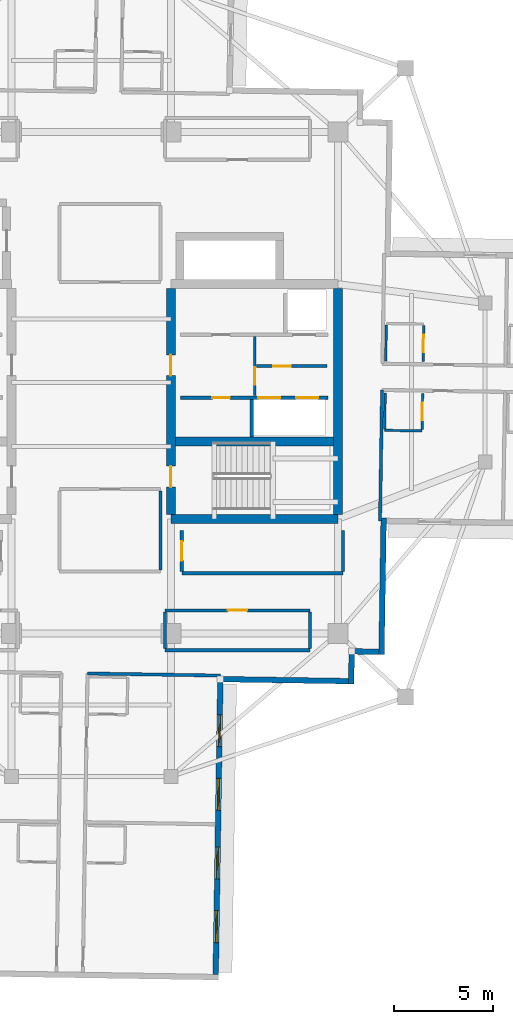
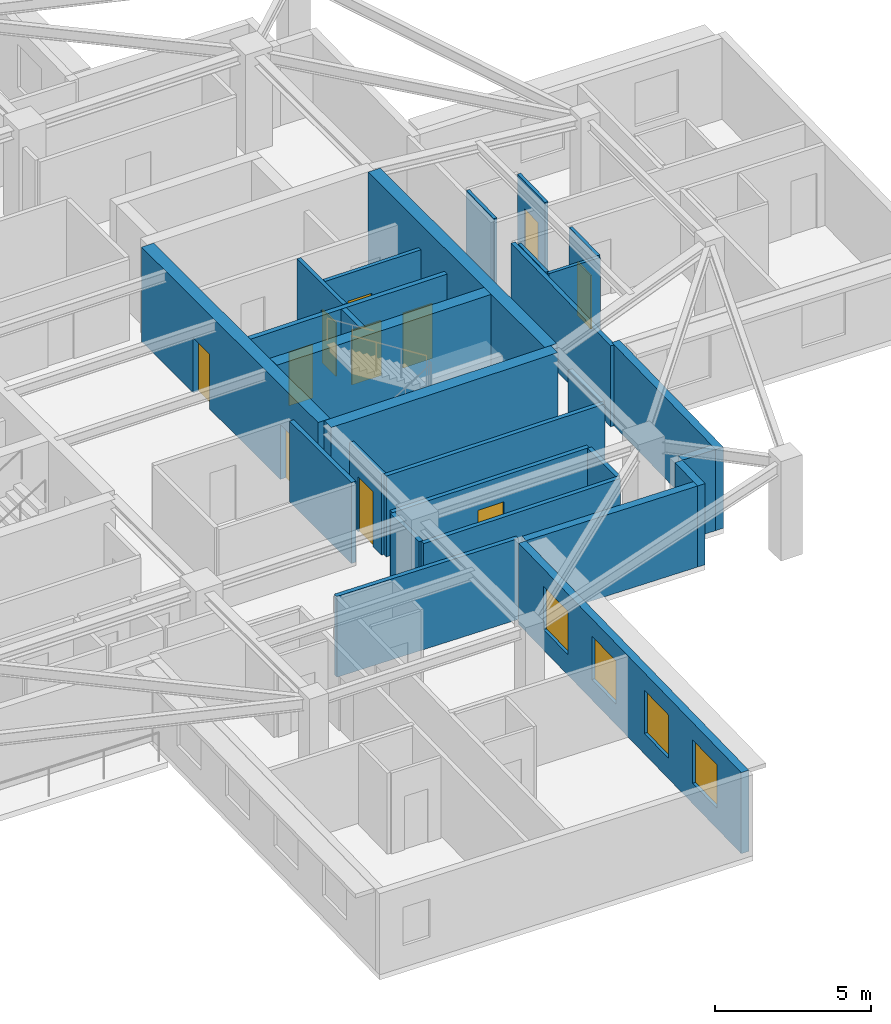
# One storey, part 5 of 12: 28 walls, 11 doors, 4 windows, 15 openings.
"""IFC4 building model written with IfcOpenShell, lengths in metres."""

from ifc_helpers import new_model, si_unit, direction, frame, frame_2d, origin, place, context, subcontext, project, spatial, rectangle, extrude, material, layer, layer_set, type_object, element, fill, save


model = new_model("IFC4")

# Units and contexts
model_context = context("Model", 3, precision=1e-05, world=origin(), true_north=direction((0.0, 1.0)))
body_context = subcontext(model_context, "Body", "Model", "MODEL_VIEW")
ifc_project = project(units=[si_unit("LENGTHUNIT", "METRE"), si_unit("AREAUNIT", "SQUARE_METRE"), si_unit("VOLUMEUNIT", "CUBIC_METRE"), si_unit("PLANEANGLEUNIT", "RADIAN"), si_unit("MASSUNIT", "GRAM", prefix="KILO")], contexts=[model_context])

# Site, building, storey
site_placement = place(None, origin())
site = spatial("IfcSite", under=ifc_project, at=site_placement, CompositionType="ELEMENT")
building_placement = place(site_placement, origin())
building = spatial("IfcBuilding", under=site, at=building_placement, Name="Qingluan Cross Belvedere", CompositionType="ELEMENT")
storey_placement = place(building_placement, frame((0.0, 0.0, 261.60009765625)))
storey = spatial("IfcBuildingStorey", under=building, at=storey_placement, Name="L65", CompositionType="ELEMENT", Elevation=261.60009765625)

# Wall
ifc_material_1 = material(Name="Concrete C50", Category="concrete")
ifc_layer_1 = layer(ifc_material_1, 0.449951171875, Name="CoreShearWall_450")
ifc_layer_set_1 = layer_set([ifc_layer_1], Name="Concrete C50")
wall_type_1 = type_object("IfcWallType", Name="CoreShearWall_450", PredefinedType="SHEAR", material=ifc_layer_set_1)
wall_1_placement = place(storey_placement, frame((4.0, -6.85009765625, 0.0), z_axis=(0.0, 0.0, 1.0), x_axis=(1.0, 0.0, 0.0)))
element("IfcWall", 1, at=wall_1_placement, inside=storey, type_object=wall_type_1, Name="Split core E shear wall L65-S", PredefinedType="SHEAR", context=body_context, shape_type="SweptSolid", body=[
    extrude(rectangle(XDim=8.39990234375, YDim=0.449951171875, at=frame_2d((4.199951171875, 0.0))), origin(), (0.0, 0.0, 1.0), 3.699951171875),
])

# Wall, openings, doors
wall_2_placement = place(storey_placement, frame((4.0, -6.6201171875, 0.0), z_axis=(0.0, 0.0, 1.0), x_axis=(0.0, 1.0, 0.0)))
wall_2 = element("IfcWall", 2, at=wall_2_placement, inside=storey, type_object=wall_type_1, Name="Split core E shear wall L65-W", PredefinedType="SHEAR", context=body_context, shape_type="SweptSolid", body=[
    extrude(rectangle(XDim=11.340087890625, YDim=0.449951171875, at=frame_2d((5.669921875, 0.0))), origin(), (0.0, 0.0, 1.0), 3.699951171875),
])
opening_1_placement = place(wall_2_placement, frame((1.3701171875, 0.0, 0.0)))
opening_1 = element("IfcOpeningElement", 3, at=opening_1_placement, cuts=wall_2, Name="Opening FD-B11", PredefinedType="OPENING", context=body_context, shape_type="SweptSolid", body=[
    extrude(rectangle(XDim=1.050048828125, YDim=2.14990234375, at=frame_2d((0.52490234375, 1.074951171875))), frame((0.0, 0.23486328125, 0.0), z_axis=(0.0, -1.0, 0.0), x_axis=(1.0, 0.0, 0.0)), (0.0, 0.0, 1.0), 0.469970703125),
])
opening_2_placement = place(wall_2_placement, frame((6.969970703125, 0.0, 0.0)))
opening_2 = element("IfcOpeningElement", 4, at=opening_2_placement, cuts=wall_2, Name="Opening FD-B11", PredefinedType="OPENING", context=body_context, shape_type="SweptSolid", body=[
    extrude(rectangle(XDim=1.050048828125, YDim=2.14990234375, at=frame_2d((0.52490234375, 1.074951171875))), frame((0.0, 0.23486328125, 0.0), z_axis=(0.0, -1.0, 0.0), x_axis=(1.0, 0.0, 0.0)), (0.0, 0.0, 1.0), 0.469970703125),
])
ifc_material_2 = material(Name="Steel Class B smoke-seal fire door", Category="steel")
door_type_1 = type_object("IfcDoorType", Name="StairLobbyFireDoor_FDB", OperationType="NOTDEFINED", PredefinedType="DOOR", material=ifc_material_2)
door_1_placement = place(opening_1_placement, origin())
door_1 = element("IfcDoor", 5, at=door_1_placement, inside=storey, type_object=door_type_1, Name="Smoke-proof stair ST2 fire door L65", OperationType="SINGLE_SWING_RIGHT", OverallHeight=2.14990234375, OverallWidth=1.050048828125, PredefinedType="DOOR", context=body_context, shape_type="SweptSolid", body=[
    extrude(rectangle(XDim=1.050048828125, YDim=2.14990234375, at=frame_2d((0.52490234375, 1.074951171875))), frame((0.0, 0.02490234375, 0.0), z_axis=(0.0, -1.0, 0.0), x_axis=(1.0, 0.0, 0.0)), (0.0, 0.0, 1.0), 0.050048828125),
])
fill(opening_1, door_1)
door_2_placement = place(opening_2_placement, origin())
door_2 = element("IfcDoor", 6, at=door_2_placement, inside=storey, type_object=door_type_1, Name="Firefighting lobby East fire door L65", OperationType="SINGLE_SWING_RIGHT", OverallHeight=2.14990234375, OverallWidth=1.050048828125, PredefinedType="DOOR", context=body_context, shape_type="SweptSolid", body=[
    extrude(rectangle(XDim=1.050048828125, YDim=2.14990234375, at=frame_2d((0.52490234375, 1.074951171875))), frame((0.0, 0.02490234375, 0.0), z_axis=(0.0, -1.0, 0.0), x_axis=(1.0, 0.0, 0.0)), (0.0, 0.0, 1.0), 0.050048828125),
])
fill(opening_2, door_2)

# Walls
wall_3_placement = place(storey_placement, frame((12.39990234375, -6.6201171875, 0.0), z_axis=(0.0, 0.0, 1.0), x_axis=(0.0, 1.0, 0.0)))
element("IfcWall", 7, at=wall_3_placement, inside=storey, type_object=wall_type_1, Name="Split core E shear wall L65-E", PredefinedType="SHEAR", context=body_context, shape_type="SweptSolid", body=[
    extrude(rectangle(XDim=11.340087890625, YDim=0.449951171875, at=frame_2d((5.669921875, 0.0))), origin(), (0.0, 0.0, 1.0), 3.699951171875),
])
wall_4_placement = place(storey_placement, frame((4.22998046875, -2.9599609375, 0.0), z_axis=(0.0, 0.0, 1.0), x_axis=(1.0, 0.0, 0.0)))
element("IfcWall", 8, at=wall_4_placement, inside=storey, type_object=wall_type_1, Name="Split core E shear wall L65-M", PredefinedType="SHEAR", context=body_context, shape_type="SweptSolid", body=[
    extrude(rectangle(XDim=7.93994140625, YDim=0.449951171875, at=frame_2d((3.969970703125, 0.0))), origin(), (0.0, 0.0, 1.0), 3.699951171875),
])

# Wall, opening, door
ifc_material_3 = material(Name="Gypsum plasterboard on steel stud acoustic partition", Category="steel")
ifc_layer_2 = layer(ifc_material_3, 0.159912109375, Name="CorridorPartition_160")
ifc_layer_set_2 = layer_set([ifc_layer_2], Name="Gypsum plasterboard on steel stud acoustic partition")
wall_type_2 = type_object("IfcWallType", Name="CorridorPartition_160", PredefinedType="PARTITIONING", material=ifc_layer_set_2)
wall_5_placement = place(storey_placement, frame((8.298095703125, 0.830078125, 0.0), z_axis=(0.0, 0.0, 1.0), x_axis=(1.0, 0.0, 0.0)))
wall_5 = element("IfcWall", 9, at=wall_5_placement, inside=storey, type_object=wall_type_2, Name="Partition L65:e", PredefinedType="PARTITIONING", context=body_context, shape_type="SweptSolid", body=[
    extrude(rectangle(XDim=3.552001953125, YDim=0.139892578125, at=frame_2d((1.77587890625, 0.0))), origin(), (0.0, 0.0, 1.0), 3.169921875),
])
opening_3_placement = place(wall_5_placement, frame((0.85009765625, 0.0, 0.0)))
opening_3 = element("IfcOpeningElement", 10, at=opening_3_placement, cuts=wall_5, Name="Opening FD-B10", PredefinedType="OPENING", context=body_context, shape_type="SweptSolid", body=[
    extrude(rectangle(XDim=0.8798828125, YDim=2.10009765625, at=frame_2d((0.43994140625, 1.050048828125))), frame((0.0, 0.079833984375, 0.0), z_axis=(0.0, -1.0, 0.0), x_axis=(1.0, 0.0, 0.0)), (0.0, 0.0, 1.0), 0.159912109375),
])
ifc_material_4 = material(Name="Steel Class B service fire door", Category="steel")
door_type_2 = type_object("IfcDoorType", Name="RiserServiceFireDoor_FDB", OperationType="NOTDEFINED", PredefinedType="DOOR", material=ifc_material_4)
door_3_placement = place(opening_3_placement, origin())
door_3 = element("IfcDoor", 11, at=door_3_placement, inside=storey, type_object=door_type_2, Name="Service closet inner door L65", OperationType="SINGLE_SWING_LEFT", OverallHeight=2.10009765625, OverallWidth=0.8798828125, PredefinedType="DOOR", context=body_context, shape_type="SweptSolid", body=[
    extrude(rectangle(XDim=0.8798828125, YDim=2.10009765625, at=frame_2d((0.43994140625, 1.050048828125))), frame((0.0, 0.02490234375, 0.0), z_axis=(0.0, -1.0, 0.0), x_axis=(1.0, 0.0, 0.0)), (0.0, 0.0, 1.0), 0.050048828125),
])
fill(opening_3, door_3)

# Wall
wall_6_placement = place(storey_placement, frame((3.699951171875, -13.449951171875, 0.0), z_axis=(0.0, 0.0, 1.0), x_axis=(1.0, 0.0, 0.0)))
element("IfcWall", 12, at=wall_6_placement, inside=storey, type_object=wall_type_2, Name="Partition L65:q_se:S", PredefinedType="PARTITIONING", context=body_context, shape_type="SweptSolid", body=[
    extrude(rectangle(XDim=7.300048828125, YDim=0.159912109375, at=frame_2d((3.64990234375, 0.0))), origin(), (0.0, 0.0, 1.0), 3.169921875),
])

# Wall, opening, door
wall_7_placement = place(storey_placement, frame((3.699951171875, -11.449951171875, 0.0), z_axis=(0.0, 0.0, 1.0), x_axis=(1.0, 0.0, 0.0)))
wall_7 = element("IfcWall", 13, at=wall_7_placement, inside=storey, type_object=wall_type_2, Name="Partition L65:q_se:N", PredefinedType="PARTITIONING", context=body_context, shape_type="SweptSolid", body=[
    extrude(rectangle(XDim=7.300048828125, YDim=0.159912109375, at=frame_2d((3.64990234375, 0.0))), origin(), (0.0, 0.0, 1.0), 3.169921875),
])
opening_4_placement = place(wall_7_placement, frame((3.169921875, 0.0, 0.0)))
opening_4 = element("IfcOpeningElement", 14, at=opening_4_placement, cuts=wall_7, Name="Opening GD-10", PredefinedType="OPENING", context=body_context, shape_type="SweptSolid", body=[
    extrude(rectangle(XDim=0.9599609375, YDim=2.14990234375, at=frame_2d((0.47998046875, 1.074951171875))), frame((0.0, 0.08984375, 0.0), z_axis=(0.0, -1.0, 0.0), x_axis=(1.0, 0.0, 0.0)), (0.0, 0.0, 1.0), 0.179931640625),
])
ifc_material_5 = material(Name="Timber oak fire-rated acoustic guestroom door", Category="wood")
door_type_3 = type_object("IfcDoorType", Name="GuestEntryDoor_FD60", OperationType="NOTDEFINED", PredefinedType="DOOR", material=ifc_material_5)
door_4_placement = place(opening_4_placement, origin())
door_4 = element("IfcDoor", 15, at=door_4_placement, inside=storey, type_object=door_type_3, Name="Artisan pantry L65 door", OperationType="SINGLE_SWING_RIGHT", OverallHeight=2.14990234375, OverallWidth=0.9599609375, PredefinedType="DOOR", context=body_context, shape_type="SweptSolid", body=[
    extrude(rectangle(XDim=0.9599609375, YDim=2.14990234375, at=frame_2d((0.47998046875, 1.074951171875))), frame((0.0, 0.02490234375, 0.0), z_axis=(0.0, -1.0, 0.0), x_axis=(1.0, 0.0, 0.0)), (0.0, 0.0, 1.0), 0.050048828125),
])
fill(opening_4, door_4)

# Walls
for number, where, z_axis, x_axis, name in (
    (16, (3.699951171875, -13.364990234375, 0.0), (0.0, 0.0, 1.0), (0.0, 1.0, 0.0), "Partition L65:q_se:W"),
    (17, (11.0, -13.364990234375, 0.0), (0.0, 0.0, 1.0), (0.0, 1.0, 0.0), "Partition L65:q_se:E"),
):
    element("IfcWall", number, at=place(storey_placement, frame(where, z_axis=z_axis, x_axis=x_axis)), inside=storey, type_object=wall_type_2, Name=name, PredefinedType="PARTITIONING", context=body_context, shape_type="SweptSolid", body=[
        extrude(rectangle(XDim=1.830078125, YDim=0.159912109375, at=frame_2d((0.9150390625, 0.0))), origin(), (0.0, 0.0, 1.0), 3.169921875),
    ])
wall_8_placement = place(storey_placement, frame((3.47998046875, -9.4150390625, 0.0), z_axis=(0.0, 0.0, 1.0), x_axis=(0.0, 1.0, 0.0)))
element("IfcWall", 18, at=wall_8_placement, inside=storey, type_object=wall_type_2, Name="Partition L65:sky_south_alcove:E", PredefinedType="PARTITIONING", context=body_context, shape_type="SweptSolid", body=[
    extrude(rectangle(XDim=3.97998046875, YDim=0.159912109375, at=frame_2d((1.989990234375, 0.0))), origin(), (0.0, 0.0, 1.0), 3.169921875),
])
wall_9_placement = place(storey_placement, frame((4.550048828125, -9.580078125, 0.0), z_axis=(0.0, 0.0, 1.0), x_axis=(1.0, 0.0, 0.0)))
element("IfcWall", 19, at=wall_9_placement, inside=storey, type_object=wall_type_2, Name="Partition L65:rec_st4:S", PredefinedType="PARTITIONING", context=body_context, shape_type="SweptSolid", body=[
    extrude(rectangle(XDim=8.099853515625, YDim=0.159912109375, at=frame_2d((4.0498046875, 0.0))), origin(), (0.0, 0.0, 1.0), 3.169921875),
])

# Wall, opening, door
wall_10_placement = place(storey_placement, frame((4.550048828125, -9.4951171875, 0.0), z_axis=(0.0, 0.0, 1.0), x_axis=(0.0, 1.0, 0.0)))
wall_10 = element("IfcWall", 20, at=wall_10_placement, inside=storey, type_object=wall_type_2, Name="Partition L65:rec_st4:W", PredefinedType="PARTITIONING", context=body_context, shape_type="SweptSolid", body=[
    extrude(rectangle(XDim=2.06005859375, YDim=0.159912109375, at=frame_2d((1.030029296875, 0.0))), origin(), (0.0, 0.0, 1.0), 3.169921875),
])
opening_5_placement = place(wall_10_placement, frame((0.550048828125, 0.0, 0.0)))
opening_5 = element("IfcOpeningElement", 21, at=opening_5_placement, cuts=wall_10, Name="Opening GD-10", PredefinedType="OPENING", context=body_context, shape_type="SweptSolid", body=[
    extrude(rectangle(XDim=0.9599609375, YDim=2.14990234375, at=frame_2d((0.47998046875, 1.074951171875))), frame((0.0, 0.08984375, 0.0), z_axis=(0.0, -1.0, 0.0), x_axis=(1.0, 0.0, 0.0)), (0.0, 0.0, 1.0), 0.179931640625),
])
door_5_placement = place(opening_5_placement, origin())
door_5 = element("IfcDoor", 22, at=door_5_placement, inside=storey, type_object=door_type_3, Name="Southeast club library room L65 door", OperationType="SINGLE_SWING_RIGHT", OverallHeight=2.14990234375, OverallWidth=0.9599609375, PredefinedType="DOOR", context=body_context, shape_type="SweptSolid", body=[
    extrude(rectangle(XDim=0.9599609375, YDim=2.14990234375, at=frame_2d((0.47998046875, 1.074951171875))), frame((0.0, 0.02490234375, 0.0), z_axis=(0.0, -1.0, 0.0), x_axis=(1.0, 0.0, 0.0)), (0.0, 0.0, 1.0), 0.050048828125),
])
fill(opening_5, door_5)

# Walls
wall_11_placement = place(storey_placement, frame((12.64990234375, -9.4951171875, 0.0), z_axis=(0.0, 0.0, 1.0), x_axis=(0.0, 1.0, 0.0)))
element("IfcWall", 23, at=wall_11_placement, inside=storey, type_object=wall_type_2, Name="Partition L65:rec_st4:E", PredefinedType="PARTITIONING", context=body_context, shape_type="SweptSolid", body=[
    extrude(rectangle(XDim=2.06005859375, YDim=0.159912109375, at=frame_2d((1.030029296875, 0.0))), origin(), (0.0, 0.0, 1.0), 3.169921875),
])
wall_12_placement = place(storey_placement, frame((14.615966796875, -0.36962890625, 0.0), z_axis=(0.0, 0.0, 1.0), x_axis=(-0.015694964287, -0.999876826462, 0.0)))
element("IfcWall", 24, at=wall_12_placement, inside=storey, type_object=wall_type_2, Name="Partition L65:E:s1", PredefinedType="PARTITIONING", context=body_context, shape_type="SweptSolid", body=[
    extrude(rectangle(XDim=6.579833984375, YDim=0.159912109375, at=frame_2d((3.2900390625, 0.0))), origin(), (0.0, 0.0, 1.0), 3.169921875),
])
wall_13_placement = place(storey_placement, frame((-0.189697265625, -14.618896484375, 0.0), z_axis=(0.0, 0.0, 1.0), x_axis=(0.999877076246, -0.015679043267, 0.0)))
element("IfcWall", 25, at=wall_13_placement, inside=storey, type_object=wall_type_2, Name="Partition L65:S:s0", PredefinedType="PARTITIONING", context=body_context, shape_type="SweptSolid", body=[
    extrude(rectangle(XDim=6.679931640625, YDim=0.159912109375, at=frame_2d((3.33984375, 0.0))), origin(), (0.0, 0.0, 1.0), 3.169921875),
])

# Wall, opening, door
ifc_material_6 = material(Name="Moisture-resistant gypsum board lining")
ifc_layer_3 = layer(ifc_material_6, 0.1201171875, Name="EnsuiteWetPartition_120")
ifc_layer_set_3 = layer_set([ifc_layer_3], Name="Moisture-resistant gypsum board lining")
wall_type_3 = type_object("IfcWallType", Name="EnsuiteWetPartition_120", PredefinedType="PARTITIONING", material=ifc_layer_set_3)
wall_14_placement = place(storey_placement, frame((16.6787109375, 1.05810546875, 0.0), z_axis=(0.0, 0.0, 1.0), x_axis=(0.015694337248, 0.999876836305, 0.0)))
wall_14 = element("IfcWall", 26, at=wall_14_placement, inside=storey, type_object=wall_type_3, Name="Partition L65:E:bs0_0", PredefinedType="PARTITIONING", context=body_context, shape_type="SweptSolid", body=[
    extrude(rectangle(XDim=1.820068359375, YDim=0.1201171875, at=frame_2d((0.91015625, 0.0))), origin(), (0.0, 0.0, 1.0), 3.169921875),
])
opening_6_placement = place(wall_14_placement, frame((0.469970703125, 0.0, 0.0)))
opening_6 = element("IfcOpeningElement", 27, at=opening_6_placement, cuts=wall_14, Name="Opening BD-09", PredefinedType="OPENING", context=body_context, shape_type="SweptSolid", body=[
    extrude(rectangle(XDim=0.8798828125, YDim=2.10009765625, at=frame_2d((0.43994140625, 1.050048828125))), frame((0.0, 0.070068359375, 0.0), z_axis=(0.0, -1.0, 0.0), x_axis=(1.0, 0.0, 0.0)), (0.0, 0.0, 1.0), 0.14013671875),
])
ifc_material_7 = material(Name="Moisture-sealed timber en-suite door", Category="wood")
door_type_4 = type_object("IfcDoorType", Name="BathroomDoor_880", OperationType="NOTDEFINED", PredefinedType="DOOR", material=ifc_material_7)
door_6_placement = place(opening_6_placement, origin())
door_6 = element("IfcDoor", 28, at=door_6_placement, inside=storey, type_object=door_type_4, Name="Bathroom door 6501", OperationType="SINGLE_SWING_LEFT", OverallHeight=2.10009765625, OverallWidth=0.8798828125, PredefinedType="DOOR", context=body_context, shape_type="SweptSolid", body=[
    extrude(rectangle(XDim=0.8798828125, YDim=2.10009765625, at=frame_2d((0.43994140625, 1.050048828125))), frame((0.0, 0.02490234375, 0.0), z_axis=(0.0, -1.0, 0.0), x_axis=(1.0, 0.0, 0.0)), (0.0, 0.0, 1.0), 0.050048828125),
])
fill(opening_6, door_6)

# Wall
wall_15_placement = place(storey_placement, frame((14.798828125, 1.087646484375, 0.0), z_axis=(0.0, 0.0, 1.0), x_axis=(0.015694337248, 0.999876836305, 0.0)))
element("IfcWall", 29, at=wall_15_placement, inside=storey, type_object=wall_type_3, Name="Partition L65:E:bw0_0", PredefinedType="PARTITIONING", context=body_context, shape_type="SweptSolid", body=[
    extrude(rectangle(XDim=1.820068359375, YDim=0.1201171875, at=frame_2d((0.91015625, 0.0))), origin(), (0.0, 0.0, 1.0), 3.169921875),
])

# Wall, opening, door
wall_16_placement = place(storey_placement, frame((16.625, -2.361328125, 0.0), z_axis=(0.0, 0.0, 1.0), x_axis=(0.015694337248, 0.999876836305, 0.0)))
wall_16 = element("IfcWall", 30, at=wall_16_placement, inside=storey, type_object=wall_type_3, Name="Partition L65:E:bs1_0", PredefinedType="PARTITIONING", context=body_context, shape_type="SweptSolid", body=[
    extrude(rectangle(XDim=1.820068359375, YDim=0.1201171875, at=frame_2d((0.91015625, 0.0))), origin(), (0.0, 0.0, 1.0), 3.169921875),
])
opening_7_placement = place(wall_16_placement, frame((0.469970703125, 0.0, 0.0)))
opening_7 = element("IfcOpeningElement", 31, at=opening_7_placement, cuts=wall_16, Name="Opening BD-09", PredefinedType="OPENING", context=body_context, shape_type="SweptSolid", body=[
    extrude(rectangle(XDim=0.8798828125, YDim=2.10009765625, at=frame_2d((0.43994140625, 1.050048828125))), frame((0.0, 0.070068359375, 0.0), z_axis=(0.0, -1.0, 0.0), x_axis=(1.0, 0.0, 0.0)), (0.0, 0.0, 1.0), 0.14013671875),
])
door_7_placement = place(opening_7_placement, origin())
door_7 = element("IfcDoor", 32, at=door_7_placement, inside=storey, type_object=door_type_4, Name="Bathroom door 6503", OperationType="SINGLE_SWING_LEFT", OverallHeight=2.10009765625, OverallWidth=0.8798828125, PredefinedType="DOOR", context=body_context, shape_type="SweptSolid", body=[
    extrude(rectangle(XDim=0.8798828125, YDim=2.10009765625, at=frame_2d((0.43994140625, 1.050048828125))), frame((0.0, 0.02490234375, 0.0), z_axis=(0.0, -1.0, 0.0), x_axis=(1.0, 0.0, 0.0)), (0.0, 0.0, 1.0), 0.050048828125),
])
fill(opening_7, door_7)

# Walls
wall_17_placement = place(storey_placement, frame((14.7451171875, -2.331787109375, 0.0), z_axis=(0.0, 0.0, 1.0), x_axis=(0.015696442504, 0.999876803258, 0.0)))
element("IfcWall", 33, at=wall_17_placement, inside=storey, type_object=wall_type_3, Name="Partition L65:E:bw1_0", PredefinedType="PARTITIONING", context=body_context, shape_type="SweptSolid", body=[
    extrude(rectangle(XDim=1.81982421875, YDim=0.1201171875, at=frame_2d((0.909912109375, 0.0))), origin(), (0.0, 0.0, 1.0), 3.169921875),
])
wall_18_placement = place(storey_placement, frame((14.744140625, -2.39697265625, 0.0), z_axis=(0.0, 0.0, 1.0), x_axis=(0.99987652141, -0.015714386166, 0.0)))
element("IfcWall", 34, at=wall_18_placement, inside=storey, type_object=wall_type_3, Name="Partition L65:E:bc1_0", PredefinedType="PARTITIONING", context=body_context, shape_type="SweptSolid", body=[
    extrude(rectangle(XDim=1.8798828125, YDim=0.1201171875, at=frame_2d((0.93994140625, 0.0))), origin(), (0.0, 0.0, 1.0), 3.169921875),
])

# Wall, openings, windows
ifc_material_8 = material(Name="Precast concrete C45", Category="concrete")
ifc_layer_4 = layer(ifc_material_8, 0.280029296875, Name="PrecastFacadeWall_280")
ifc_layer_set_4 = layer_set([ifc_layer_4], Name="Precast concrete C45")
wall_type_4 = type_object("IfcWallType", Name="PrecastFacadeWall_280", PredefinedType="STANDARD", material=ifc_layer_set_4)
wall_19_placement = place(storey_placement, frame((6.253662109375, -29.741943359375, 0.0), z_axis=(0.0, 0.0, 1.0), x_axis=(0.015711302158, 0.999876569875, 0.0)))
wall_19 = element("IfcWall", 35, at=wall_19_placement, inside=storey, type_object=wall_type_4, Name="Facade wall L65-SB", PredefinedType="STANDARD", context=body_context, shape_type="SweptSolid", body=[
    extrude(rectangle(XDim=14.699951171875, YDim=0.280029296875, at=frame_2d((7.35009765625, 0.0))), origin(), (0.0, 0.0, 1.0), 3.179931640625),
])
opening_8_placement = place(wall_19_placement, frame((1.60009765625, 0.0, 0.800048828125)))
opening_8 = element("IfcOpeningElement", 36, at=opening_8_placement, cuts=wall_19, Name="Opening W-04", PredefinedType="OPENING", context=body_context, shape_type="SweptSolid", body=[
    extrude(rectangle(XDim=1.60009765625, YDim=1.699951171875, at=frame_2d((0.800048828125, 0.85009765625))), frame((0.0, 0.14990234375, 0.0), z_axis=(0.0, -1.0, 0.0), x_axis=(1.0, 0.0, 0.0)), (0.0, 0.0, 1.0), 0.300048828125),
])
opening_9_placement = place(wall_19_placement, frame((4.800048828125, 0.0, 0.800048828125)))
opening_9 = element("IfcOpeningElement", 37, at=opening_9_placement, cuts=wall_19, Name="Opening W-04", PredefinedType="OPENING", context=body_context, shape_type="SweptSolid", body=[
    extrude(rectangle(XDim=1.60009765625, YDim=1.699951171875, at=frame_2d((0.800048828125, 0.85009765625))), frame((0.0, 0.14990234375, 0.0), z_axis=(0.0, -1.0, 0.0), x_axis=(1.0, 0.0, 0.0)), (0.0, 0.0, 1.0), 0.300048828125),
])
opening_10_placement = place(wall_19_placement, frame((8.25, 0.0, 0.800048828125)))
opening_10 = element("IfcOpeningElement", 38, at=opening_10_placement, cuts=wall_19, Name="Opening W-04", PredefinedType="OPENING", context=body_context, shape_type="SweptSolid", body=[
    extrude(rectangle(XDim=1.60009765625, YDim=1.699951171875, at=frame_2d((0.800048828125, 0.85009765625))), frame((0.0, 0.14990234375, 0.0), z_axis=(0.0, -1.0, 0.0), x_axis=(1.0, 0.0, 0.0)), (0.0, 0.0, 1.0), 0.300048828125),
])
opening_11_placement = place(wall_19_placement, frame((11.449951171875, 0.0, 0.800048828125)))
opening_11 = element("IfcOpeningElement", 39, at=opening_11_placement, cuts=wall_19, Name="Opening W-04", PredefinedType="OPENING", context=body_context, shape_type="SweptSolid", body=[
    extrude(rectangle(XDim=1.60009765625, YDim=1.699951171875, at=frame_2d((0.800048828125, 0.85009765625))), frame((0.0, 0.14990234375, 0.0), z_axis=(0.0, -1.0, 0.0), x_axis=(1.0, 0.0, 0.0)), (0.0, 0.0, 1.0), 0.300048828125),
])
ifc_material_9 = material(Name="Thermally broken triple Low-E glass in aluminium frame", Category="aluminium")
window_type = type_object("IfcWindowType", Name="SuiteCornerWin_1600x1700", PartitioningType="SINGLE_PANEL", PredefinedType="WINDOW", material=ifc_material_9)
window_1_placement = place(opening_8_placement, origin())
window_1 = element("IfcWindow", 40, at=window_1_placement, inside=storey, type_object=window_type, Name="Ribbon window L65-SB-1", OverallHeight=1.699951171875, OverallWidth=1.60009765625, PartitioningType="SINGLE_PANEL", PredefinedType="WINDOW", context=body_context, shape_type="SweptSolid", body=[
    extrude(rectangle(XDim=1.60009765625, YDim=1.699951171875, at=frame_2d((0.800048828125, 0.85009765625))), frame((0.0, 0.030029296875, 0.0), z_axis=(0.0, -1.0, 0.0), x_axis=(1.0, 0.0, 0.0)), (0.0, 0.0, 1.0), 0.06005859375),
])
fill(opening_8, window_1)
window_2_placement = place(opening_9_placement, origin())
window_2 = element("IfcWindow", 41, at=window_2_placement, inside=storey, type_object=window_type, Name="Ribbon window L65-SB-2", OverallHeight=1.699951171875, OverallWidth=1.60009765625, PartitioningType="SINGLE_PANEL", PredefinedType="WINDOW", context=body_context, shape_type="SweptSolid", body=[
    extrude(rectangle(XDim=1.60009765625, YDim=1.699951171875, at=frame_2d((0.800048828125, 0.85009765625))), frame((0.0, 0.030029296875, 0.0), z_axis=(0.0, -1.0, 0.0), x_axis=(1.0, 0.0, 0.0)), (0.0, 0.0, 1.0), 0.06005859375),
])
fill(opening_9, window_2)
window_3_placement = place(opening_10_placement, origin())
window_3 = element("IfcWindow", 42, at=window_3_placement, inside=storey, type_object=window_type, Name="Ribbon window L65-SB-3", OverallHeight=1.699951171875, OverallWidth=1.60009765625, PartitioningType="SINGLE_PANEL", PredefinedType="WINDOW", context=body_context, shape_type="SweptSolid", body=[
    extrude(rectangle(XDim=1.60009765625, YDim=1.699951171875, at=frame_2d((0.800048828125, 0.85009765625))), frame((0.0, 0.030029296875, 0.0), z_axis=(0.0, -1.0, 0.0), x_axis=(1.0, 0.0, 0.0)), (0.0, 0.0, 1.0), 0.06005859375),
])
fill(opening_10, window_3)
window_4_placement = place(opening_11_placement, origin())
window_4 = element("IfcWindow", 43, at=window_4_placement, inside=storey, type_object=window_type, Name="Ribbon window L65-SB-4", OverallHeight=1.699951171875, OverallWidth=1.60009765625, PartitioningType="SINGLE_PANEL", PredefinedType="WINDOW", context=body_context, shape_type="SweptSolid", body=[
    extrude(rectangle(XDim=1.60009765625, YDim=1.699951171875, at=frame_2d((0.800048828125, 0.85009765625))), frame((0.0, 0.030029296875, 0.0), z_axis=(0.0, -1.0, 0.0), x_axis=(1.0, 0.0, 0.0)), (0.0, 0.0, 1.0), 0.06005859375),
])
fill(opening_11, window_4)

# Walls
wall_20_placement = place(storey_placement, frame((14.69482421875, -6.811767578125, 0.0), z_axis=(0.0, 0.0, 1.0), x_axis=(-0.015694809807, -0.999876828887, 0.0)))
element("IfcWall", 44, at=wall_20_placement, inside=storey, type_object=wall_type_4, Name="Corner wall L65-SE1", PredefinedType="STANDARD", context=body_context, shape_type="SweptSolid", body=[
    extrude(rectangle(XDim=6.85986328125, YDim=0.280029296875, at=frame_2d((3.429931640625, 0.0))), origin(), (0.0, 0.0, 1.0), 3.179931640625),
])
wall_21_placement = place(storey_placement, frame((14.44921875, -13.528564453125, 0.0), z_axis=(0.0, 0.0, 1.0), x_axis=(-0.999878147354, 0.015610587569, 0.0)))
element("IfcWall", 45, at=wall_21_placement, inside=storey, type_object=wall_type_4, Name="Corner wall L65-SE2", PredefinedType="STANDARD", context=body_context, shape_type="SweptSolid", body=[
    extrude(rectangle(XDim=1.219970703125, YDim=0.280029296875, at=frame_2d((0.60986328125, 0.0))), origin(), (0.0, 0.0, 1.0), 3.179931640625),
])
wall_22_placement = place(storey_placement, frame((13.08740234375, -13.647216796875, 0.0), z_axis=(0.0, 0.0, 1.0), x_axis=(-0.015785793208, -0.999875396603, 0.0)))
element("IfcWall", 46, at=wall_22_placement, inside=storey, type_object=wall_type_4, Name="Corner wall L65-SE3", PredefinedType="STANDARD", context=body_context, shape_type="SweptSolid", body=[
    extrude(rectangle(XDim=1.500244140625, YDim=0.280029296875, at=frame_2d((0.75, 0.0))), origin(), (0.0, 0.0, 1.0), 3.179931640625),
])
wall_23_placement = place(storey_placement, frame((12.92578125, -15.0048828125, 0.0), z_axis=(0.0, 0.0, 1.0), x_axis=(-0.999876823822, 0.015695132501, 0.0)))
element("IfcWall", 47, at=wall_23_placement, inside=storey, type_object=wall_type_4, Name="Corner wall L65-SE4", PredefinedType="STANDARD", context=body_context, shape_type="SweptSolid", body=[
    extrude(rectangle(XDim=6.2998046875, YDim=0.280029296875, at=frame_2d((3.14990234375, 0.0))), origin(), (0.0, 0.0, 1.0), 3.179931640625),
])

# Wall, openings, doors
ifc_material_10 = material(Name="Concrete C40", Category="concrete")
ifc_layer_5 = layer(ifc_material_10, 0.219970703125, Name="ShaftEnclosureWall_250")
ifc_layer_set_5 = layer_set([ifc_layer_5], Name="Concrete C40")
wall_type_5 = type_object("IfcWallType", Name="ShaftEnclosureWall_250", PredefinedType="SOLIDWALL", material=ifc_layer_set_5)
wall_24_placement = place(storey_placement, frame((4.47998046875, -0.75, 0.0), z_axis=(0.0, 0.0, 1.0), x_axis=(1.0, 0.0, 0.0)))
wall_24 = element("IfcWall", 48, at=wall_24_placement, inside=storey, type_object=wall_type_5, Name="Core-E mid hoistway wall L65", PredefinedType="SOLIDWALL", context=body_context, shape_type="SweptSolid", body=[
    extrude(rectangle(XDim=7.419921875, YDim=0.179931640625, at=frame_2d((3.7099609375, 0.0))), origin(), (0.0, 0.0, 1.0), 3.169921875),
])
opening_12_placement = place(wall_24_placement, frame((3.919921875, 0.0, 0.0)))
opening_12 = element("IfcOpeningElement", 49, at=opening_12_placement, cuts=wall_24, Name="Opening LD-11", PredefinedType="OPENING", context=body_context, shape_type="SweptSolid", body=[
    extrude(rectangle(XDim=1.10009765625, YDim=2.14990234375, at=frame_2d((0.550048828125, 1.074951171875))), frame((0.0, 0.099853515625, 0.0), z_axis=(0.0, -1.0, 0.0), x_axis=(1.0, 0.0, 0.0)), (0.0, 0.0, 1.0), 0.199951171875),
])
opening_13_placement = place(wall_24_placement, frame((5.820068359375, 0.0, 0.0)))
opening_13 = element("IfcOpeningElement", 50, at=opening_13_placement, cuts=wall_24, Name="Opening LD-11", PredefinedType="OPENING", context=body_context, shape_type="SweptSolid", body=[
    extrude(rectangle(XDim=1.10009765625, YDim=2.14990234375, at=frame_2d((0.550048828125, 1.074951171875))), frame((0.0, 0.099853515625, 0.0), z_axis=(0.0, -1.0, 0.0), x_axis=(1.0, 0.0, 0.0)), (0.0, 0.0, 1.0), 0.199951171875),
])
opening_14_placement = place(wall_24_placement, frame((1.60009765625, 0.0, 0.0)))
opening_14 = element("IfcOpeningElement", 51, at=opening_14_placement, cuts=wall_24, Name="Opening FD-B10", PredefinedType="OPENING", context=body_context, shape_type="SweptSolid", body=[
    extrude(rectangle(XDim=0.8798828125, YDim=2.10009765625, at=frame_2d((0.43994140625, 1.050048828125))), frame((0.0, 0.099853515625, 0.0), z_axis=(0.0, -1.0, 0.0), x_axis=(1.0, 0.0, 0.0)), (0.0, 0.0, 1.0), 0.199951171875),
])
ifc_material_11 = material(Name="Brushed stainless steel centre-opening lift landing door", Category="steel")
door_type_5 = type_object("IfcDoorType", Name="LiftLandingSlidingDoor_1100", OperationType="DOUBLE_DOOR_SLIDING", PredefinedType="DOOR", material=ifc_material_11)
door_8_placement = place(opening_12_placement, origin())
door_8 = element("IfcDoor", 52, at=door_8_placement, inside=storey, type_object=door_type_5, Name="Lift landing sliding door LP9 L65", OperationType="DOUBLE_DOOR_SLIDING", OverallHeight=2.14990234375, OverallWidth=1.10009765625, PredefinedType="DOOR", context=body_context, shape_type="SweptSolid", body=[
    extrude(rectangle(XDim=1.10009765625, YDim=2.14990234375, at=frame_2d((0.550048828125, 1.074951171875))), frame((0.0, 0.02490234375, 0.0), z_axis=(0.0, -1.0, 0.0), x_axis=(1.0, 0.0, 0.0)), (0.0, 0.0, 1.0), 0.050048828125),
])
fill(opening_12, door_8)
door_9_placement = place(opening_13_placement, origin())
door_9 = element("IfcDoor", 53, at=door_9_placement, inside=storey, type_object=door_type_5, Name="Lift landing sliding door LP10 L65", OperationType="DOUBLE_DOOR_SLIDING", OverallHeight=2.14990234375, OverallWidth=1.10009765625, PredefinedType="DOOR", context=body_context, shape_type="SweptSolid", body=[
    extrude(rectangle(XDim=1.10009765625, YDim=2.14990234375, at=frame_2d((0.550048828125, 1.074951171875))), frame((0.0, 0.02490234375, 0.0), z_axis=(0.0, -1.0, 0.0), x_axis=(1.0, 0.0, 0.0)), (0.0, 0.0, 1.0), 0.050048828125),
])
fill(opening_13, door_9)
door_10_placement = place(opening_14_placement, origin())
door_10 = element("IfcDoor", 54, at=door_10_placement, inside=storey, type_object=door_type_2, Name="Upper-zone linen store door L65", OperationType="SINGLE_SWING_LEFT", OverallHeight=2.10009765625, OverallWidth=0.8798828125, PredefinedType="DOOR", context=body_context, shape_type="SweptSolid", body=[
    extrude(rectangle(XDim=0.8798828125, YDim=2.10009765625, at=frame_2d((0.43994140625, 1.050048828125))), frame((0.0, 0.02490234375, 0.0), z_axis=(0.0, -1.0, 0.0), x_axis=(1.0, 0.0, 0.0)), (0.0, 0.0, 1.0), 0.050048828125),
])
fill(opening_14, door_10)

# Wall
wall_25_placement = place(storey_placement, frame((8.06005859375, -2.72998046875, 0.0), z_axis=(0.0, 0.0, 1.0), x_axis=(0.0, 1.0, 0.0)))
element("IfcWall", 55, at=wall_25_placement, inside=storey, type_object=wall_type_5, Name="Hoistway enclosure divider LP9W L65", PredefinedType="SOLIDWALL", context=body_context, shape_type="SweptSolid", body=[
    extrude(rectangle(XDim=1.889892578125, YDim=0.179931640625, at=frame_2d((0.94482421875, 0.0))), origin(), (0.0, 0.0, 1.0), 3.169921875),
])

# Wall, opening, door
wall_26_placement = place(storey_placement, frame((8.219970703125, -0.64990234375, 0.0), z_axis=(0.0, 0.0, 1.0), x_axis=(0.0, 1.0, 0.0)))
wall_26 = element("IfcWall", 56, at=wall_26_placement, inside=storey, type_object=wall_type_5, Name="Core-E service corridor wall L65", PredefinedType="SOLIDWALL", context=body_context, shape_type="SweptSolid", body=[
    extrude(rectangle(XDim=2.9599609375, YDim=0.139892578125, at=frame_2d((1.47998046875, 0.0))), origin(), (0.0, 0.0, 1.0), 3.169921875),
])
opening_15_placement = place(wall_26_placement, frame((0.550048828125, 0.0, 0.0)))
opening_15 = element("IfcOpeningElement", 57, at=opening_15_placement, cuts=wall_26, Name="Opening FD-B10", PredefinedType="OPENING", context=body_context, shape_type="SweptSolid", body=[
    extrude(rectangle(XDim=0.8798828125, YDim=2.10009765625, at=frame_2d((0.43994140625, 1.050048828125))), frame((0.0, 0.079833984375, 0.0), z_axis=(0.0, -1.0, 0.0), x_axis=(1.0, 0.0, 0.0)), (0.0, 0.0, 1.0), 0.159912109375),
])
door_11_placement = place(opening_15_placement, origin())
door_11 = element("IfcDoor", 58, at=door_11_placement, inside=storey, type_object=door_type_2, Name="Core-E service room door L65", OperationType="SINGLE_SWING_LEFT", OverallHeight=2.10009765625, OverallWidth=0.8798828125, PredefinedType="DOOR", context=body_context, shape_type="SweptSolid", body=[
    extrude(rectangle(XDim=0.8798828125, YDim=2.10009765625, at=frame_2d((0.43994140625, 1.050048828125))), frame((0.0, 0.02490234375, 0.0), z_axis=(0.0, -1.0, 0.0), x_axis=(1.0, 0.0, 0.0)), (0.0, 0.0, 1.0), 0.050048828125),
])
fill(opening_15, door_11)

save(model, "model.ifc")
